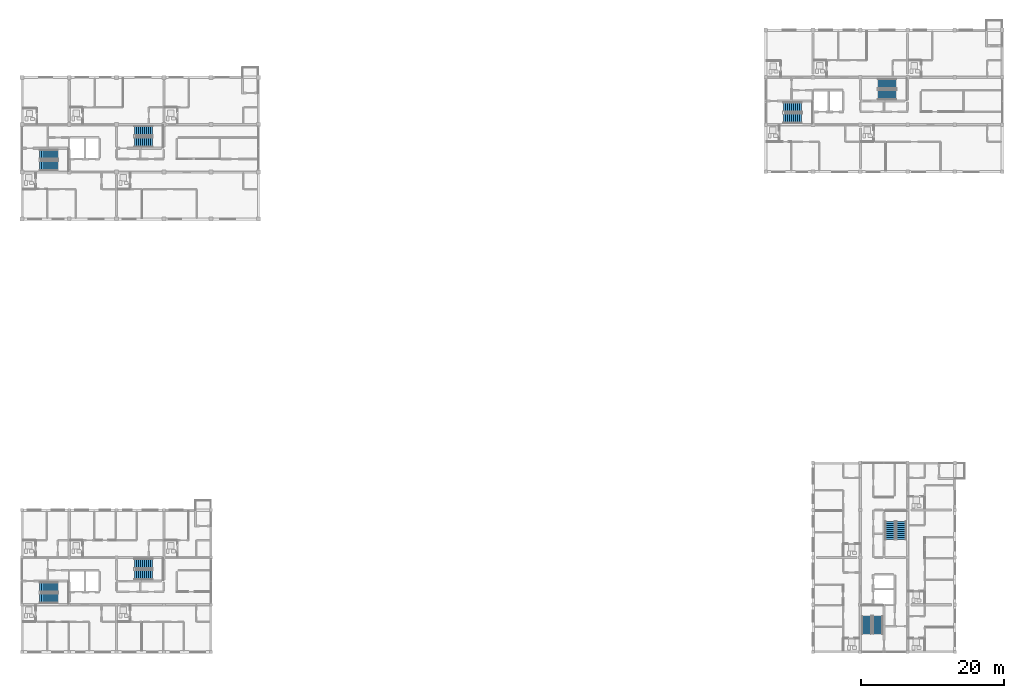
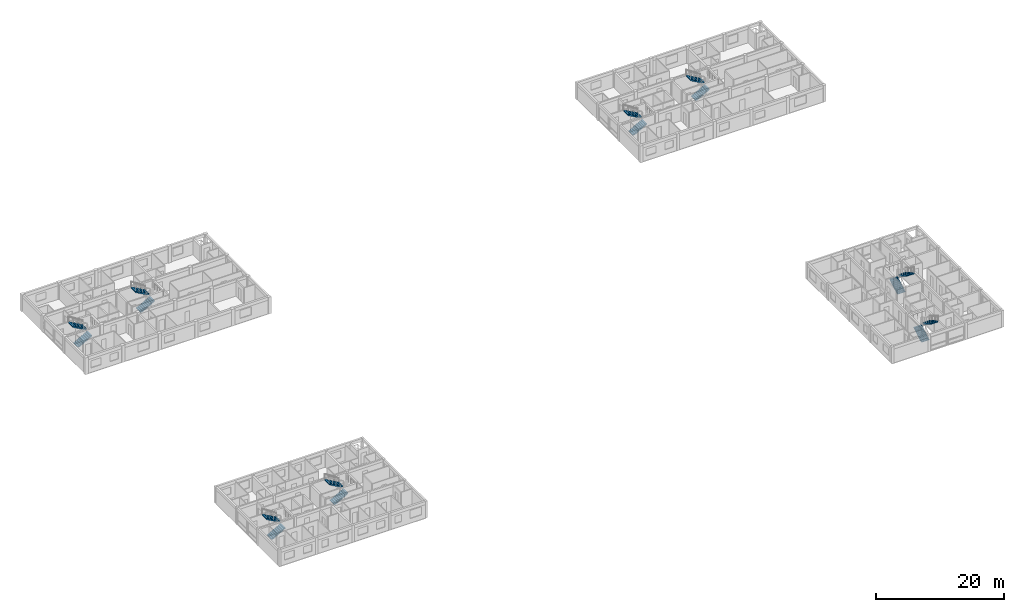
# One storey, part 39 of 45: 16 stair flights, 8 elements without a shape of their own.
"""IFC4 building model written with IfcOpenShell, lengths in metres."""

from ifc_helpers import new_model, si_unit, direction, frame, origin, place, context, subcontext, project, spatial, polyline, outline, extrude, material, type_object, element, aggregate, save


model = new_model("IFC4")

# Units and contexts
model_context = context("Model", 3, precision=1e-05, world=origin(), true_north=direction((0.0, 1.0)))
body_context = subcontext(model_context, "Body", "Model", "MODEL_VIEW")
ifc_project = project(units=[si_unit("LENGTHUNIT", "METRE"), si_unit("AREAUNIT", "SQUARE_METRE"), si_unit("VOLUMEUNIT", "CUBIC_METRE"), si_unit("PLANEANGLEUNIT", "RADIAN"), si_unit("MASSUNIT", "GRAM", prefix="KILO")], contexts=[model_context])

# Site, building, storey
site_placement = place(None, origin())
site = spatial("IfcSite", under=ifc_project, at=site_placement, CompositionType="ELEMENT")
building_placement = place(site_placement, origin())
building = spatial("IfcBuilding", under=site, at=building_placement, Name="Kernevlak Ridge Housing Community", CompositionType="ELEMENT")
storey_placement = place(building_placement, frame((0.0, 0.0, 14.800048828125)))
storey = spatial("IfcBuildingStorey", under=building, at=storey_placement, Name="L04", CompositionType="ELEMENT", Elevation=14.800048828125)

# Stair, stair flights
ifc_material = material(Name="Concrete C35/45", Category="concrete")
stair_type = type_object("IfcStairType", Name="SR-01", PredefinedType="HALF_TURN_STAIR", material=ifc_material)
stair_1_placement = place(storey_placement, origin())
stair_1 = element("IfcStair", 1, at=stair_1_placement, inside=storey, type_object=stair_type, Name="Stair ST-A1 L04", PredefinedType="HALF_TURN_STAIR")
stair_flight_type = type_object("IfcStairFlightType", Name="SF-01", PredefinedType="STRAIGHT", material=ifc_material)
stair_flight_1_placement = place(storey_placement, frame((18.080078125, 83.4599609375, 0.0), z_axis=(0.0, 0.0, 1.0), x_axis=(1.0, 0.0, 0.0)))
stair_flight_1 = element("IfcStairFlight", 2, at=stair_flight_1_placement, type_object=stair_flight_type, Name="SR-01 flight 1", NumberOfRisers=10, NumberOfTreads=9, PredefinedType="STRAIGHT", RiserHeight=0.16, TreadLength=0.28, context=body_context, shape_type="SweptSolid", body=[
    extrude(outline(polyline([(0.0, 0.0), (0.0, 0.159912109375), (0.280029296875, 0.159912109375), (0.280029296875, 0.320068359375), (0.56005859375, 0.320068359375), (0.56005859375, 0.47998046875), (0.840087890625, 0.47998046875), (0.840087890625, 0.639892578125), (1.1201171875, 0.639892578125), (1.1201171875, 0.800048828125), (1.39990234375, 0.800048828125), (1.39990234375, 0.9599609375), (1.679931640625, 0.9599609375), (1.679931640625, 1.1201171875), (1.9599609375, 1.1201171875), (1.9599609375, 1.280029296875), (2.239990234375, 1.280029296875), (2.239990234375, 1.43994140625), (2.52001953125, 1.43994140625), (2.52001953125, 1.60009765625), (2.52001953125, 1.244384765625), (0.342529296875, 0.0), (0.0, 0.0)])), frame((0.0, 0.699951171875, 0.0), z_axis=(0.0, -1.0, 0.0), x_axis=(1.0, 0.0, 0.0)), (0.0, 0.0, 1.0), 1.39990234375),
])
stair_flight_2_placement = place(storey_placement, frame((20.60009765625, 85.0400390625, 1.599853515625), z_axis=(0.0, 0.0, 1.0), x_axis=(-1.0, 0.0, 0.0)))
stair_flight_2 = element("IfcStairFlight", 3, at=stair_flight_2_placement, type_object=stair_flight_type, Name="SR-01 flight 2", NumberOfRisers=10, NumberOfTreads=9, PredefinedType="STRAIGHT", RiserHeight=0.16, TreadLength=0.28, context=body_context, shape_type="SweptSolid", body=[
    extrude(outline(polyline([(0.0, 0.0), (0.0, 0.159912109375), (0.280029296875, 0.159912109375), (0.280029296875, 0.320068359375), (0.56005859375, 0.320068359375), (0.56005859375, 0.47998046875), (0.840087890625, 0.47998046875), (0.840087890625, 0.639892578125), (1.1201171875, 0.639892578125), (1.1201171875, 0.800048828125), (1.39990234375, 0.800048828125), (1.39990234375, 0.9599609375), (1.679931640625, 0.9599609375), (1.679931640625, 1.1201171875), (1.9599609375, 1.1201171875), (1.9599609375, 1.280029296875), (2.239990234375, 1.280029296875), (2.239990234375, 1.43994140625), (2.52001953125, 1.43994140625), (2.52001953125, 1.60009765625), (2.52001953125, 1.244384765625), (0.342529296875, 0.0), (0.0, 0.0)])), frame((0.0, 0.699951171875, 0.0), z_axis=(0.0, -1.0, 0.0), x_axis=(1.0, 0.0, 0.0)), (0.0, 0.0, 1.0), 1.39990234375),
])
aggregate(stair_1, [stair_flight_1, stair_flight_2])

stair_2_placement = place(storey_placement, origin())
stair_2 = element("IfcStair", 4, at=stair_2_placement, inside=storey, type_object=stair_type, Name="Stair ST-A2 L04", PredefinedType="HALF_TURN_STAIR")
stair_flight_3_placement = place(storey_placement, frame((31.280029296875, 86.760009765625, 0.0), z_axis=(0.0, 0.0, 1.0), x_axis=(1.0, 0.0, 0.0)))
stair_flight_3 = element("IfcStairFlight", 5, at=stair_flight_3_placement, type_object=stair_flight_type, Name="SR-01 flight 1", NumberOfRisers=10, NumberOfTreads=9, PredefinedType="STRAIGHT", RiserHeight=0.16, TreadLength=0.28, context=body_context, shape_type="SweptSolid", body=[
    extrude(outline(polyline([(0.0, 0.0), (0.0, 0.159912109375), (0.280029296875, 0.159912109375), (0.280029296875, 0.320068359375), (0.56005859375, 0.320068359375), (0.56005859375, 0.47998046875), (0.840087890625, 0.47998046875), (0.840087890625, 0.639892578125), (1.1201171875, 0.639892578125), (1.1201171875, 0.800048828125), (1.39990234375, 0.800048828125), (1.39990234375, 0.9599609375), (1.679931640625, 0.9599609375), (1.679931640625, 1.1201171875), (1.9599609375, 1.1201171875), (1.9599609375, 1.280029296875), (2.239990234375, 1.280029296875), (2.239990234375, 1.43994140625), (2.52001953125, 1.43994140625), (2.52001953125, 1.60009765625), (2.52001953125, 1.244384765625), (0.342529296875, 0.0), (0.0, 0.0)])), frame((0.0, 0.699951171875, 0.0), z_axis=(0.0, -1.0, 0.0), x_axis=(1.0, 0.0, 0.0)), (0.0, 0.0, 1.0), 1.39990234375),
])
stair_flight_4_placement = place(storey_placement, frame((33.800048828125, 88.340087890625, 1.599853515625), z_axis=(0.0, 0.0, 1.0), x_axis=(-1.0, 0.0, 0.0)))
stair_flight_4 = element("IfcStairFlight", 6, at=stair_flight_4_placement, type_object=stair_flight_type, Name="SR-01 flight 2", NumberOfRisers=10, NumberOfTreads=9, PredefinedType="STRAIGHT", RiserHeight=0.16, TreadLength=0.28, context=body_context, shape_type="SweptSolid", body=[
    extrude(outline(polyline([(0.0, 0.0), (0.0, 0.159912109375), (0.280029296875, 0.159912109375), (0.280029296875, 0.320068359375), (0.56005859375, 0.320068359375), (0.56005859375, 0.47998046875), (0.840087890625, 0.47998046875), (0.840087890625, 0.639892578125), (1.1201171875, 0.639892578125), (1.1201171875, 0.800048828125), (1.39990234375, 0.800048828125), (1.39990234375, 0.9599609375), (1.679931640625, 0.9599609375), (1.679931640625, 1.1201171875), (1.9599609375, 1.1201171875), (1.9599609375, 1.280029296875), (2.239990234375, 1.280029296875), (2.239990234375, 1.43994140625), (2.52001953125, 1.43994140625), (2.52001953125, 1.60009765625), (2.52001953125, 1.244384765625), (0.342529296875, 0.0), (0.0, 0.0)])), frame((0.0, 0.699951171875, 0.0), z_axis=(0.0, -1.0, 0.0), x_axis=(1.0, 0.0, 0.0)), (0.0, 0.0, 1.0), 1.39990234375),
])
aggregate(stair_2, [stair_flight_3, stair_flight_4])

stair_3_placement = place(storey_placement, origin())
stair_3 = element("IfcStair", 7, at=stair_3_placement, inside=storey, type_object=stair_type, Name="Stair ST-B1 L04", PredefinedType="HALF_TURN_STAIR")
stair_flight_5_placement = place(storey_placement, frame((121.8798828125, 90.06005859375, 0.0), z_axis=(0.0, 0.0, 1.0), x_axis=(1.0, 0.0, 0.0)))
stair_flight_5 = element("IfcStairFlight", 8, at=stair_flight_5_placement, type_object=stair_flight_type, Name="SR-01 flight 1", NumberOfRisers=10, NumberOfTreads=9, PredefinedType="STRAIGHT", RiserHeight=0.16, TreadLength=0.28, context=body_context, shape_type="SweptSolid", body=[
    extrude(outline(polyline([(0.0, 0.0), (0.0, 0.159912109375), (0.280029296875, 0.159912109375), (0.280029296875, 0.320068359375), (0.56005859375, 0.320068359375), (0.56005859375, 0.47998046875), (0.840087890625, 0.47998046875), (0.840087890625, 0.639892578125), (1.1201171875, 0.639892578125), (1.1201171875, 0.800048828125), (1.39990234375, 0.800048828125), (1.39990234375, 0.9599609375), (1.679931640625, 0.9599609375), (1.679931640625, 1.1201171875), (1.9599609375, 1.1201171875), (1.9599609375, 1.280029296875), (2.239990234375, 1.280029296875), (2.239990234375, 1.43994140625), (2.52001953125, 1.43994140625), (2.52001953125, 1.60009765625), (2.52001953125, 1.244384765625), (0.342529296875, 0.0), (0.0, 0.0)])), frame((0.0, 0.699951171875, 0.0), z_axis=(0.0, -1.0, 0.0), x_axis=(1.0, 0.0, 0.0)), (0.0, 0.0, 1.0), 1.39990234375),
])
stair_flight_6_placement = place(storey_placement, frame((124.39990234375, 91.639892578125, 1.599853515625), z_axis=(0.0, 0.0, 1.0), x_axis=(-1.0, 0.0, 0.0)))
stair_flight_6 = element("IfcStairFlight", 9, at=stair_flight_6_placement, type_object=stair_flight_type, Name="SR-01 flight 2", NumberOfRisers=10, NumberOfTreads=9, PredefinedType="STRAIGHT", RiserHeight=0.16, TreadLength=0.28, context=body_context, shape_type="SweptSolid", body=[
    extrude(outline(polyline([(0.0, 0.0), (0.0, 0.159912109375), (0.280029296875, 0.159912109375), (0.280029296875, 0.320068359375), (0.56005859375, 0.320068359375), (0.56005859375, 0.47998046875), (0.840087890625, 0.47998046875), (0.840087890625, 0.639892578125), (1.1201171875, 0.639892578125), (1.1201171875, 0.800048828125), (1.39990234375, 0.800048828125), (1.39990234375, 0.9599609375), (1.679931640625, 0.9599609375), (1.679931640625, 1.1201171875), (1.9599609375, 1.1201171875), (1.9599609375, 1.280029296875), (2.239990234375, 1.280029296875), (2.239990234375, 1.43994140625), (2.52001953125, 1.43994140625), (2.52001953125, 1.60009765625), (2.52001953125, 1.244384765625), (0.342529296875, 0.0), (0.0, 0.0)])), frame((0.0, 0.699951171875, 0.0), z_axis=(0.0, -1.0, 0.0), x_axis=(1.0, 0.0, 0.0)), (0.0, 0.0, 1.0), 1.39990234375),
])
aggregate(stair_3, [stair_flight_5, stair_flight_6])

stair_4_placement = place(storey_placement, origin())
stair_4 = element("IfcStair", 10, at=stair_4_placement, inside=storey, type_object=stair_type, Name="Stair ST-B2 L04", PredefinedType="HALF_TURN_STAIR")
stair_flight_7_placement = place(storey_placement, frame((135.080078125, 93.360107421875, 0.0), z_axis=(0.0, 0.0, 1.0), x_axis=(1.0, 0.0, 0.0)))
stair_flight_7 = element("IfcStairFlight", 11, at=stair_flight_7_placement, type_object=stair_flight_type, Name="SR-01 flight 1", NumberOfRisers=10, NumberOfTreads=9, PredefinedType="STRAIGHT", RiserHeight=0.16, TreadLength=0.28, context=body_context, shape_type="SweptSolid", body=[
    extrude(outline(polyline([(0.0, 0.0), (0.0, 0.159912109375), (0.280029296875, 0.159912109375), (0.280029296875, 0.320068359375), (0.56005859375, 0.320068359375), (0.56005859375, 0.47998046875), (0.840087890625, 0.47998046875), (0.840087890625, 0.639892578125), (1.1201171875, 0.639892578125), (1.1201171875, 0.800048828125), (1.39990234375, 0.800048828125), (1.39990234375, 0.9599609375), (1.679931640625, 0.9599609375), (1.679931640625, 1.1201171875), (1.9599609375, 1.1201171875), (1.9599609375, 1.280029296875), (2.239990234375, 1.280029296875), (2.239990234375, 1.43994140625), (2.52001953125, 1.43994140625), (2.52001953125, 1.60009765625), (2.52001953125, 1.244384765625), (0.342529296875, 0.0), (0.0, 0.0)])), frame((0.0, 0.699951171875, 0.0), z_axis=(0.0, -1.0, 0.0), x_axis=(1.0, 0.0, 0.0)), (0.0, 0.0, 1.0), 1.39990234375),
])
stair_flight_8_placement = place(storey_placement, frame((137.60009765625, 94.93994140625, 1.599853515625), z_axis=(0.0, 0.0, 1.0), x_axis=(-1.0, 0.0, 0.0)))
stair_flight_8 = element("IfcStairFlight", 12, at=stair_flight_8_placement, type_object=stair_flight_type, Name="SR-01 flight 2", NumberOfRisers=10, NumberOfTreads=9, PredefinedType="STRAIGHT", RiserHeight=0.16, TreadLength=0.28, context=body_context, shape_type="SweptSolid", body=[
    extrude(outline(polyline([(0.0, 0.0), (0.0, 0.159912109375), (0.280029296875, 0.159912109375), (0.280029296875, 0.320068359375), (0.56005859375, 0.320068359375), (0.56005859375, 0.47998046875), (0.840087890625, 0.47998046875), (0.840087890625, 0.639892578125), (1.1201171875, 0.639892578125), (1.1201171875, 0.800048828125), (1.39990234375, 0.800048828125), (1.39990234375, 0.9599609375), (1.679931640625, 0.9599609375), (1.679931640625, 1.1201171875), (1.9599609375, 1.1201171875), (1.9599609375, 1.280029296875), (2.239990234375, 1.280029296875), (2.239990234375, 1.43994140625), (2.52001953125, 1.43994140625), (2.52001953125, 1.60009765625), (2.52001953125, 1.244384765625), (0.342529296875, 0.0), (0.0, 0.0)])), frame((0.0, 0.699951171875, 0.0), z_axis=(0.0, -1.0, 0.0), x_axis=(1.0, 0.0, 0.0)), (0.0, 0.0, 1.0), 1.39990234375),
])
aggregate(stair_4, [stair_flight_7, stair_flight_8])

stair_5_placement = place(storey_placement, origin())
stair_5 = element("IfcStair", 13, at=stair_5_placement, inside=storey, type_object=stair_type, Name="Stair ST-C1 L04", PredefinedType="HALF_TURN_STAIR")
stair_flight_9_placement = place(storey_placement, frame((133.4599609375, 18.080078125, 0.0), z_axis=(0.0, 0.0, 1.0), x_axis=(0.0, 1.0, 0.0)))
stair_flight_9 = element("IfcStairFlight", 14, at=stair_flight_9_placement, type_object=stair_flight_type, Name="SR-01 flight 1", NumberOfRisers=10, NumberOfTreads=9, PredefinedType="STRAIGHT", RiserHeight=0.16, TreadLength=0.28, context=body_context, shape_type="SweptSolid", body=[
    extrude(outline(polyline([(0.0, 0.0), (0.0, 0.159912109375), (0.280029296875, 0.159912109375), (0.280029296875, 0.320068359375), (0.56005859375, 0.320068359375), (0.56005859375, 0.47998046875), (0.840087890625, 0.47998046875), (0.840087890625, 0.639892578125), (1.1201171875, 0.639892578125), (1.1201171875, 0.800048828125), (1.39990234375, 0.800048828125), (1.39990234375, 0.9599609375), (1.679931640625, 0.9599609375), (1.679931640625, 1.1201171875), (1.9599609375, 1.1201171875), (1.9599609375, 1.280029296875), (2.239990234375, 1.280029296875), (2.239990234375, 1.43994140625), (2.52001953125, 1.43994140625), (2.52001953125, 1.60009765625), (2.52001953125, 1.244384765625), (0.342529296875, 0.0), (0.0, 0.0)])), frame((0.0, 0.699951171875, 0.0), z_axis=(0.0, -1.0, 0.0), x_axis=(1.0, 0.0, 0.0)), (0.0, 0.0, 1.0), 1.39990234375),
])
stair_flight_10_placement = place(storey_placement, frame((135.0400390625, 20.60009765625, 1.599853515625), z_axis=(0.0, 0.0, 1.0), x_axis=(0.0, -1.0, 0.0)))
stair_flight_10 = element("IfcStairFlight", 15, at=stair_flight_10_placement, type_object=stair_flight_type, Name="SR-01 flight 2", NumberOfRisers=10, NumberOfTreads=9, PredefinedType="STRAIGHT", RiserHeight=0.16, TreadLength=0.28, context=body_context, shape_type="SweptSolid", body=[
    extrude(outline(polyline([(0.0, 0.0), (0.0, 0.159912109375), (0.280029296875, 0.159912109375), (0.280029296875, 0.320068359375), (0.56005859375, 0.320068359375), (0.56005859375, 0.47998046875), (0.840087890625, 0.47998046875), (0.840087890625, 0.639892578125), (1.1201171875, 0.639892578125), (1.1201171875, 0.800048828125), (1.39990234375, 0.800048828125), (1.39990234375, 0.9599609375), (1.679931640625, 0.9599609375), (1.679931640625, 1.1201171875), (1.9599609375, 1.1201171875), (1.9599609375, 1.280029296875), (2.239990234375, 1.280029296875), (2.239990234375, 1.43994140625), (2.52001953125, 1.43994140625), (2.52001953125, 1.60009765625), (2.52001953125, 1.244384765625), (0.342529296875, 0.0), (0.0, 0.0)])), frame((0.0, 0.699951171875, 0.0), z_axis=(0.0, -1.0, 0.0), x_axis=(1.0, 0.0, 0.0)), (0.0, 0.0, 1.0), 1.39990234375),
])
aggregate(stair_5, [stair_flight_9, stair_flight_10])

stair_6_placement = place(storey_placement, origin())
stair_6 = element("IfcStair", 16, at=stair_6_placement, inside=storey, type_object=stair_type, Name="Stair ST-C2 L04", PredefinedType="HALF_TURN_STAIR")
stair_flight_11_placement = place(storey_placement, frame((136.760009765625, 31.280029296875, 0.0), z_axis=(0.0, 0.0, 1.0), x_axis=(0.0, 1.0, 0.0)))
stair_flight_11 = element("IfcStairFlight", 17, at=stair_flight_11_placement, type_object=stair_flight_type, Name="SR-01 flight 1", NumberOfRisers=10, NumberOfTreads=9, PredefinedType="STRAIGHT", RiserHeight=0.16, TreadLength=0.28, context=body_context, shape_type="SweptSolid", body=[
    extrude(outline(polyline([(0.0, 0.0), (0.0, 0.159912109375), (0.280029296875, 0.159912109375), (0.280029296875, 0.320068359375), (0.56005859375, 0.320068359375), (0.56005859375, 0.47998046875), (0.840087890625, 0.47998046875), (0.840087890625, 0.639892578125), (1.1201171875, 0.639892578125), (1.1201171875, 0.800048828125), (1.39990234375, 0.800048828125), (1.39990234375, 0.9599609375), (1.679931640625, 0.9599609375), (1.679931640625, 1.1201171875), (1.9599609375, 1.1201171875), (1.9599609375, 1.280029296875), (2.239990234375, 1.280029296875), (2.239990234375, 1.43994140625), (2.52001953125, 1.43994140625), (2.52001953125, 1.60009765625), (2.52001953125, 1.244384765625), (0.342529296875, 0.0), (0.0, 0.0)])), frame((0.0, 0.699951171875, 0.0), z_axis=(0.0, -1.0, 0.0), x_axis=(1.0, 0.0, 0.0)), (0.0, 0.0, 1.0), 1.39990234375),
])
stair_flight_12_placement = place(storey_placement, frame((138.340087890625, 33.800048828125, 1.599853515625), z_axis=(0.0, 0.0, 1.0), x_axis=(0.0, -1.0, 0.0)))
stair_flight_12 = element("IfcStairFlight", 18, at=stair_flight_12_placement, type_object=stair_flight_type, Name="SR-01 flight 2", NumberOfRisers=10, NumberOfTreads=9, PredefinedType="STRAIGHT", RiserHeight=0.16, TreadLength=0.28, context=body_context, shape_type="SweptSolid", body=[
    extrude(outline(polyline([(0.0, 0.0), (0.0, 0.159912109375), (0.280029296875, 0.159912109375), (0.280029296875, 0.320068359375), (0.56005859375, 0.320068359375), (0.56005859375, 0.47998046875), (0.840087890625, 0.47998046875), (0.840087890625, 0.639892578125), (1.1201171875, 0.639892578125), (1.1201171875, 0.800048828125), (1.39990234375, 0.800048828125), (1.39990234375, 0.9599609375), (1.679931640625, 0.9599609375), (1.679931640625, 1.1201171875), (1.9599609375, 1.1201171875), (1.9599609375, 1.280029296875), (2.239990234375, 1.280029296875), (2.239990234375, 1.43994140625), (2.52001953125, 1.43994140625), (2.52001953125, 1.60009765625), (2.52001953125, 1.244384765625), (0.342529296875, 0.0), (0.0, 0.0)])), frame((0.0, 0.699951171875, 0.0), z_axis=(0.0, -1.0, 0.0), x_axis=(1.0, 0.0, 0.0)), (0.0, 0.0, 1.0), 1.39990234375),
])
aggregate(stair_6, [stair_flight_11, stair_flight_12])

stair_7_placement = place(storey_placement, origin())
stair_7 = element("IfcStair", 19, at=stair_7_placement, inside=storey, type_object=stair_type, Name="Stair ST-D1 L04", PredefinedType="HALF_TURN_STAIR")
stair_flight_13_placement = place(storey_placement, frame((18.080078125, 23.06005859375, 0.0), z_axis=(0.0, 0.0, 1.0), x_axis=(1.0, 0.0, 0.0)))
stair_flight_13 = element("IfcStairFlight", 20, at=stair_flight_13_placement, type_object=stair_flight_type, Name="SR-01 flight 1", NumberOfRisers=10, NumberOfTreads=9, PredefinedType="STRAIGHT", RiserHeight=0.16, TreadLength=0.28, context=body_context, shape_type="SweptSolid", body=[
    extrude(outline(polyline([(0.0, 0.0), (0.0, 0.159912109375), (0.280029296875, 0.159912109375), (0.280029296875, 0.320068359375), (0.56005859375, 0.320068359375), (0.56005859375, 0.47998046875), (0.840087890625, 0.47998046875), (0.840087890625, 0.639892578125), (1.1201171875, 0.639892578125), (1.1201171875, 0.800048828125), (1.39990234375, 0.800048828125), (1.39990234375, 0.9599609375), (1.679931640625, 0.9599609375), (1.679931640625, 1.1201171875), (1.9599609375, 1.1201171875), (1.9599609375, 1.280029296875), (2.239990234375, 1.280029296875), (2.239990234375, 1.43994140625), (2.52001953125, 1.43994140625), (2.52001953125, 1.60009765625), (2.52001953125, 1.244384765625), (0.342529296875, 0.0), (0.0, 0.0)])), frame((0.0, 0.699951171875, 0.0), z_axis=(0.0, -1.0, 0.0), x_axis=(1.0, 0.0, 0.0)), (0.0, 0.0, 1.0), 1.39990234375),
])
stair_flight_14_placement = place(storey_placement, frame((20.60009765625, 24.639892578125, 1.599853515625), z_axis=(0.0, 0.0, 1.0), x_axis=(-1.0, 0.0, 0.0)))
stair_flight_14 = element("IfcStairFlight", 21, at=stair_flight_14_placement, type_object=stair_flight_type, Name="SR-01 flight 2", NumberOfRisers=10, NumberOfTreads=9, PredefinedType="STRAIGHT", RiserHeight=0.16, TreadLength=0.28, context=body_context, shape_type="SweptSolid", body=[
    extrude(outline(polyline([(0.0, 0.0), (0.0, 0.159912109375), (0.280029296875, 0.159912109375), (0.280029296875, 0.320068359375), (0.56005859375, 0.320068359375), (0.56005859375, 0.47998046875), (0.840087890625, 0.47998046875), (0.840087890625, 0.639892578125), (1.1201171875, 0.639892578125), (1.1201171875, 0.800048828125), (1.39990234375, 0.800048828125), (1.39990234375, 0.9599609375), (1.679931640625, 0.9599609375), (1.679931640625, 1.1201171875), (1.9599609375, 1.1201171875), (1.9599609375, 1.280029296875), (2.239990234375, 1.280029296875), (2.239990234375, 1.43994140625), (2.52001953125, 1.43994140625), (2.52001953125, 1.60009765625), (2.52001953125, 1.244384765625), (0.342529296875, 0.0), (0.0, 0.0)])), frame((0.0, 0.699951171875, 0.0), z_axis=(0.0, -1.0, 0.0), x_axis=(1.0, 0.0, 0.0)), (0.0, 0.0, 1.0), 1.39990234375),
])
aggregate(stair_7, [stair_flight_13, stair_flight_14])

stair_8_placement = place(storey_placement, origin())
stair_8 = element("IfcStair", 22, at=stair_8_placement, inside=storey, type_object=stair_type, Name="Stair ST-D2 L04", PredefinedType="HALF_TURN_STAIR")
stair_flight_15_placement = place(storey_placement, frame((31.280029296875, 26.360107421875, 0.0), z_axis=(0.0, 0.0, 1.0), x_axis=(1.0, 0.0, 0.0)))
stair_flight_15 = element("IfcStairFlight", 23, at=stair_flight_15_placement, type_object=stair_flight_type, Name="SR-01 flight 1", NumberOfRisers=10, NumberOfTreads=9, PredefinedType="STRAIGHT", RiserHeight=0.16, TreadLength=0.28, context=body_context, shape_type="SweptSolid", body=[
    extrude(outline(polyline([(0.0, 0.0), (0.0, 0.159912109375), (0.280029296875, 0.159912109375), (0.280029296875, 0.320068359375), (0.56005859375, 0.320068359375), (0.56005859375, 0.47998046875), (0.840087890625, 0.47998046875), (0.840087890625, 0.639892578125), (1.1201171875, 0.639892578125), (1.1201171875, 0.800048828125), (1.39990234375, 0.800048828125), (1.39990234375, 0.9599609375), (1.679931640625, 0.9599609375), (1.679931640625, 1.1201171875), (1.9599609375, 1.1201171875), (1.9599609375, 1.280029296875), (2.239990234375, 1.280029296875), (2.239990234375, 1.43994140625), (2.52001953125, 1.43994140625), (2.52001953125, 1.60009765625), (2.52001953125, 1.244384765625), (0.342529296875, 0.0), (0.0, 0.0)])), frame((0.0, 0.699951171875, 0.0), z_axis=(0.0, -1.0, 0.0), x_axis=(1.0, 0.0, 0.0)), (0.0, 0.0, 1.0), 1.39990234375),
])
stair_flight_16_placement = place(storey_placement, frame((33.800048828125, 27.93994140625, 1.599853515625), z_axis=(0.0, 0.0, 1.0), x_axis=(-1.0, 0.0, 0.0)))
stair_flight_16 = element("IfcStairFlight", 24, at=stair_flight_16_placement, type_object=stair_flight_type, Name="SR-01 flight 2", NumberOfRisers=10, NumberOfTreads=9, PredefinedType="STRAIGHT", RiserHeight=0.16, TreadLength=0.28, context=body_context, shape_type="SweptSolid", body=[
    extrude(outline(polyline([(0.0, 0.0), (0.0, 0.159912109375), (0.280029296875, 0.159912109375), (0.280029296875, 0.320068359375), (0.56005859375, 0.320068359375), (0.56005859375, 0.47998046875), (0.840087890625, 0.47998046875), (0.840087890625, 0.639892578125), (1.1201171875, 0.639892578125), (1.1201171875, 0.800048828125), (1.39990234375, 0.800048828125), (1.39990234375, 0.9599609375), (1.679931640625, 0.9599609375), (1.679931640625, 1.1201171875), (1.9599609375, 1.1201171875), (1.9599609375, 1.280029296875), (2.239990234375, 1.280029296875), (2.239990234375, 1.43994140625), (2.52001953125, 1.43994140625), (2.52001953125, 1.60009765625), (2.52001953125, 1.244384765625), (0.342529296875, 0.0), (0.0, 0.0)])), frame((0.0, 0.699951171875, 0.0), z_axis=(0.0, -1.0, 0.0), x_axis=(1.0, 0.0, 0.0)), (0.0, 0.0, 1.0), 1.39990234375),
])
aggregate(stair_8, [stair_flight_15, stair_flight_16])

save(model, "model.ifc")
